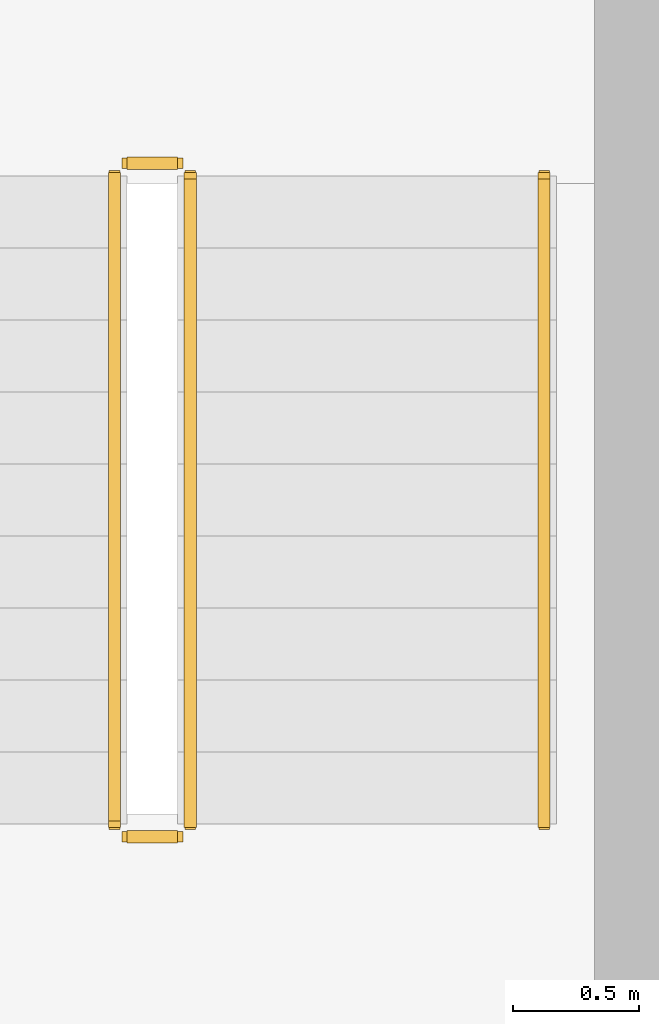
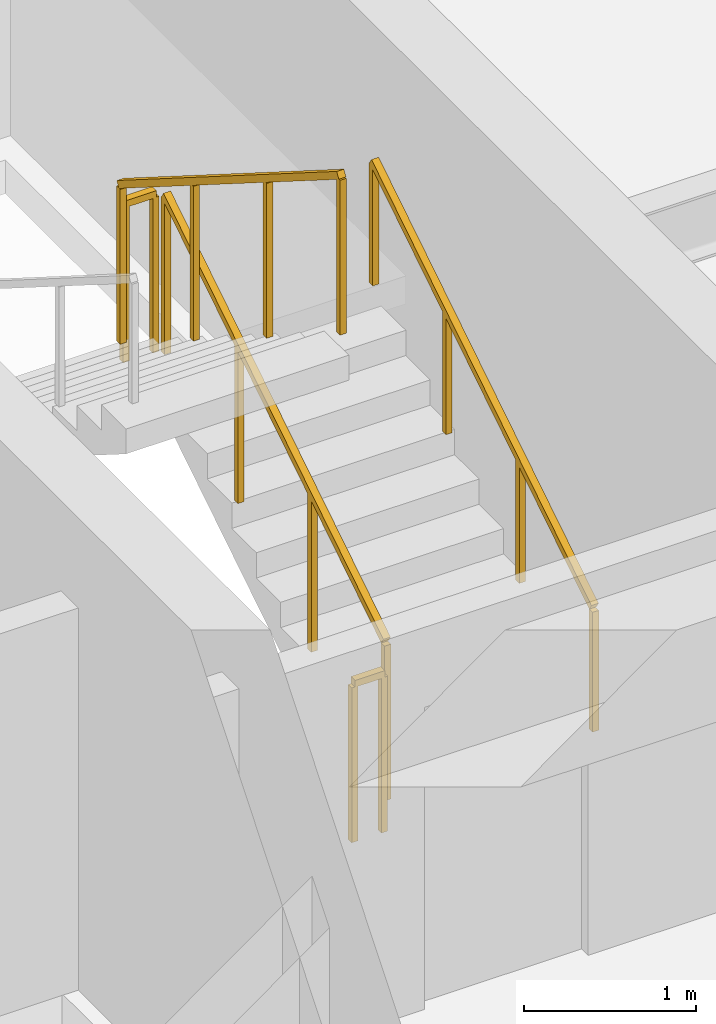
# One storey, part 23 of 23: 5 railings.
"""IFC4 building model written with IfcOpenShell, lengths in metres."""

from ifc_helpers import new_model, si_unit, direction, frame, origin, origin_2d, place, context, subcontext, project, spatial, rectangle, extrude, material, type_object, element, save


model = new_model("IFC4")

# Units and contexts
model_context = context("Model", 3, precision=1e-05, world=origin(), true_north=direction((0.0, 1.0)))
body_context = subcontext(model_context, "Body", "Model", "MODEL_VIEW")
ifc_project = project(units=[si_unit("LENGTHUNIT", "METRE"), si_unit("AREAUNIT", "SQUARE_METRE"), si_unit("VOLUMEUNIT", "CUBIC_METRE"), si_unit("PLANEANGLEUNIT", "RADIAN"), si_unit("MASSUNIT", "GRAM", prefix="KILO")], contexts=[model_context])

# Site, building, storey
site_placement = place(None, origin())
site = spatial("IfcSite", under=ifc_project, at=site_placement, CompositionType="ELEMENT")
building_placement = place(site_placement, origin())
building = spatial("IfcBuilding", under=site, at=building_placement, Name="Sarneth Arch Tower", CompositionType="ELEMENT")
storey_placement = place(building_placement, frame((0.0, 0.0, 246.0)))
storey = spatial("IfcBuildingStorey", under=building, at=storey_placement, Name="L63", CompositionType="ELEMENT", Elevation=246.0)

# Railings
ifc_material_1 = material(Name="Brushed Stainless Steel 304 tubular handrail", Category="steel")
railing_type_1 = type_object("IfcRailingType", Name="RAIL-HANDRAIL-900", PredefinedType="HANDRAIL", material=ifc_material_1)
railing_1_placement = place(storey_placement, frame((58.60009765625, 41.449951171875, 0.179931640625)))
element("IfcRailing", 1, at=railing_1_placement, inside=storey, type_object=railing_type_1, Name="L63 ST-2 stair handrail 1", PredefinedType="HANDRAIL", context=body_context, shape_type="SweptSolid", body=[
    extrude(rectangle(XDim=0.048095703125, YDim=0.048095703125, at=origin_2d()), frame((0.0, 0.0, 0.8759765625), z_axis=(0.0, 0.845465955043, 0.534029323973), x_axis=(-1.0, 0.0, 0.0)), (0.0, 0.0, 1.0), 3.03369140625),
    extrude(rectangle(XDim=0.0419921875, YDim=0.0419921875, at=origin_2d()), origin(), (0.0, 0.0, 1.0), 0.851806640625),
    extrude(rectangle(XDim=0.0419921875, YDim=0.0419921875, at=origin_2d()), frame((0.0, 0.85498046875, 0.5400390625)), (0.0, 0.0, 1.0), 0.851806640625),
    extrude(rectangle(XDim=0.0419921875, YDim=0.0419921875, at=origin_2d()), frame((0.0, 1.7099609375, 1.080078125)), (0.0, 0.0, 1.0), 0.851806640625),
    extrude(rectangle(XDim=0.0419921875, YDim=0.0419921875, at=origin_2d()), frame((0.0, 2.56494140625, 1.6201171875)), (0.0, 0.0, 1.0), 0.851806640625),
])
ifc_material_2 = material(Name="Painted Steel S275 stair well guard", Category="steel")
railing_type_2 = type_object("IfcRailingType", Name="RAIL-STAIR-GUARD", PredefinedType="GUARDRAIL", material=ifc_material_2)
railing_2_placement = place(storey_placement, frame((57.199951171875, 41.449951171875, 0.179931640625)))
element("IfcRailing", 2, at=railing_2_placement, inside=storey, type_object=railing_type_2, Name="L63 ST-2 stair guard 1", PredefinedType="GUARDRAIL", context=body_context, shape_type="SweptSolid", body=[
    extrude(rectangle(XDim=0.048095703125, YDim=0.048095703125, at=origin_2d()), frame((0.0, 0.0, 1.1259765625), z_axis=(0.0, 0.845465955043, 0.534029323973), x_axis=(-1.0, 0.0, 0.0)), (0.0, 0.0, 1.0), 3.03369140625),
    extrude(rectangle(XDim=0.0419921875, YDim=0.0419921875, at=origin_2d()), origin(), (0.0, 0.0, 1.0), 1.101806640625),
    extrude(rectangle(XDim=0.0419921875, YDim=0.0419921875, at=origin_2d()), frame((0.0, 0.85498046875, 0.5400390625)), (0.0, 0.0, 1.0), 1.101806640625),
    extrude(rectangle(XDim=0.0419921875, YDim=0.0419921875, at=origin_2d()), frame((0.0, 1.7099609375, 1.080078125)), (0.0, 0.0, 1.0), 1.101806640625),
    extrude(rectangle(XDim=0.0419921875, YDim=0.0419921875, at=origin_2d()), frame((0.0, 2.56494140625, 1.6201171875)), (0.0, 0.0, 1.0), 1.101806640625),
])
railing_3_placement = place(storey_placement, frame((57.14990234375, 44.06494140625, 1.800048828125)))
element("IfcRailing", 3, at=railing_3_placement, inside=storey, type_object=railing_type_2, Name="L63 ST-2 stair guard 2", PredefinedType="GUARDRAIL", context=body_context, shape_type="SweptSolid", body=[
    extrude(rectangle(XDim=0.048095703125, YDim=0.048095703125, at=origin_2d()), frame((0.0, 0.0, 1.1259765625), z_axis=(-1.0, 0.0, 0.0), x_axis=(0.0, -1.0, 0.0)), (0.0, 0.0, 1.0), 0.199951171875),
    extrude(rectangle(XDim=0.0419921875, YDim=0.0419921875, at=origin_2d()), origin(), (0.0, 0.0, 1.0), 1.101806640625),
    extrude(rectangle(XDim=0.0419921875, YDim=0.0419921875, at=origin_2d()), frame((-0.199951171875, 0.0, 0.0)), (0.0, 0.0, 1.0), 1.101806640625),
])
railing_4_placement = place(storey_placement, frame((56.89990234375, 44.014892578125, 1.97998046875)))
element("IfcRailing", 4, at=railing_4_placement, inside=storey, type_object=railing_type_2, Name="L63 ST-2 stair guard 3", PredefinedType="GUARDRAIL", context=body_context, shape_type="SweptSolid", body=[
    extrude(rectangle(XDim=0.048095703125, YDim=0.048095703125, at=origin_2d()), frame((0.0, 0.0, 1.1259765625), z_axis=(0.0, -0.845465955043, 0.534029323973), x_axis=(1.0, 0.0, 0.0)), (0.0, 0.0, 1.0), 3.03369140625),
    extrude(rectangle(XDim=0.0419921875, YDim=0.0419921875, at=origin_2d()), origin(), (0.0, 0.0, 1.0), 1.101806640625),
    extrude(rectangle(XDim=0.0419921875, YDim=0.0419921875, at=origin_2d()), frame((0.0, -0.85498046875, 0.5400390625)), (0.0, 0.0, 1.0), 1.101806640625),
    extrude(rectangle(XDim=0.0419921875, YDim=0.0419921875, at=origin_2d()), frame((0.0, -1.7099609375, 1.080078125)), (0.0, 0.0, 1.0), 1.101806640625),
    extrude(rectangle(XDim=0.0419921875, YDim=0.0419921875, at=origin_2d()), frame((0.0, -2.56494140625, 1.6201171875)), (0.0, 0.0, 1.0), 1.101806640625),
])
railing_5_placement = place(storey_placement, frame((57.14990234375, 41.39990234375, 0.0)))
element("IfcRailing", 5, at=railing_5_placement, inside=storey, type_object=railing_type_2, Name="L63 ST-2 stair guard 4", PredefinedType="GUARDRAIL", context=body_context, shape_type="SweptSolid", body=[
    extrude(rectangle(XDim=0.048095703125, YDim=0.048095703125, at=origin_2d()), frame((0.0, 0.0, 1.1259765625), z_axis=(-1.0, 0.0, 0.0), x_axis=(0.0, -1.0, 0.0)), (0.0, 0.0, 1.0), 0.199951171875),
    extrude(rectangle(XDim=0.0419921875, YDim=0.0419921875, at=origin_2d()), origin(), (0.0, 0.0, 1.0), 1.101806640625),
    extrude(rectangle(XDim=0.0419921875, YDim=0.0419921875, at=origin_2d()), frame((-0.199951171875, 0.0, 0.0)), (0.0, 0.0, 1.0), 1.101806640625),
])

save(model, "model.ifc")
